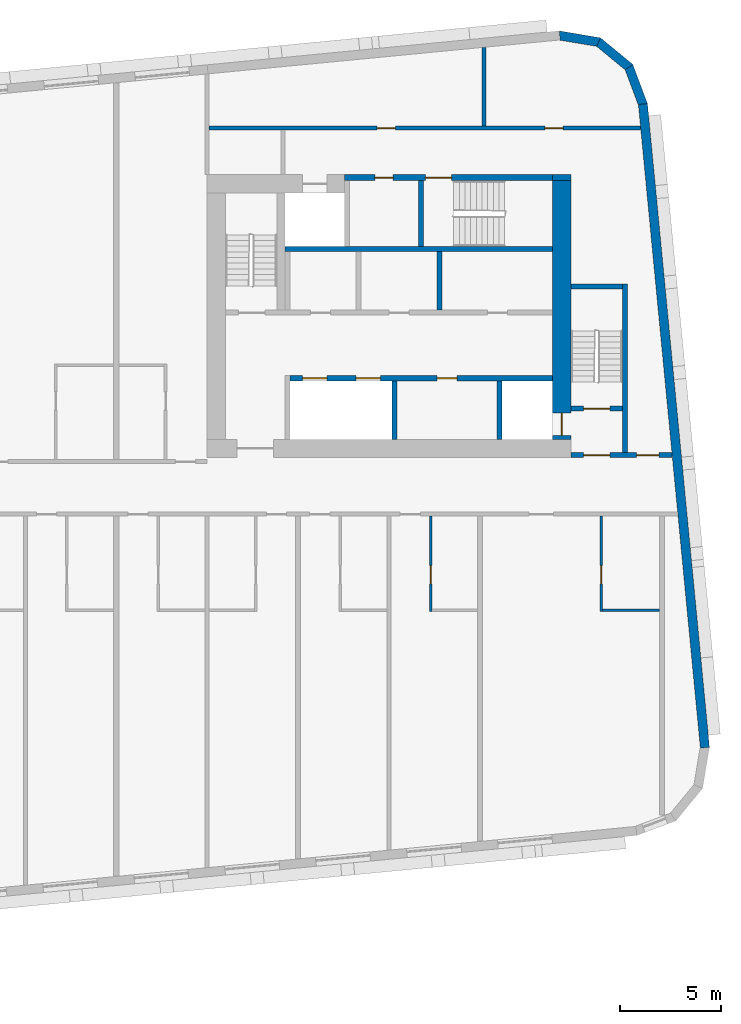
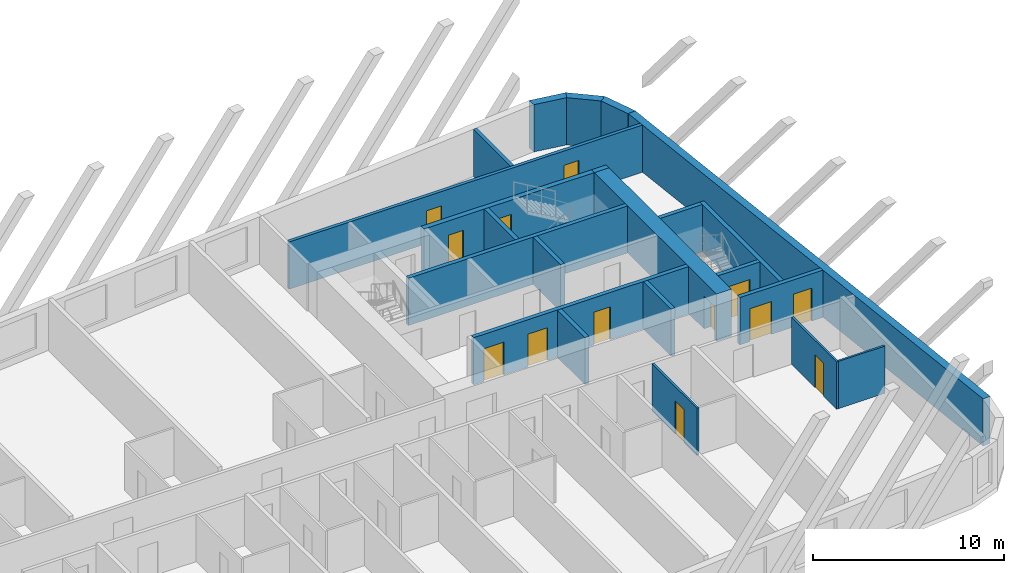
# One storey, part 7 of 12: 22 walls, 13 doors, 13 openings.
"""IFC4 building model written with IfcOpenShell, lengths in metres."""

from ifc_helpers import new_model, si_unit, direction, frame, frame_2d, origin, place, context, subcontext, project, spatial, polyline, rectangle, outline, extrude, material, layer, layer_set, type_object, element, fill, save


model = new_model("IFC4")

# Units and contexts
model_context = context("Model", 3, precision=1e-05, world=origin(), true_north=direction((0.0, 1.0)))
body_context = subcontext(model_context, "Body", "Model", "MODEL_VIEW")
ifc_project = project(units=[si_unit("LENGTHUNIT", "METRE"), si_unit("AREAUNIT", "SQUARE_METRE"), si_unit("VOLUMEUNIT", "CUBIC_METRE"), si_unit("PLANEANGLEUNIT", "RADIAN"), si_unit("MASSUNIT", "GRAM", prefix="KILO")], contexts=[model_context])

# Site, building, storey
site_placement = place(None, origin())
site = spatial("IfcSite", under=ifc_project, at=site_placement, CompositionType="ELEMENT")
building_placement = place(site_placement, origin())
building = spatial("IfcBuilding", under=site, at=building_placement, Name="Kajstack Hotel Tower", CompositionType="ELEMENT")
storey_placement = place(building_placement, frame((0.0, 0.0, 278.39990234375)))
storey = spatial("IfcBuildingStorey", under=building, at=storey_placement, Name="L69", CompositionType="ELEMENT", Elevation=278.39990234375)

# Wall
ifc_material_1 = material(Name="Concrete C60/75", Category="concrete")
ifc_layer_1 = layer(ifc_material_1, 0.89990234375)
ifc_layer_set_1 = layer_set([ifc_layer_1], Name="Core wall 900")
wall_type_1 = type_object("IfcWallType", Name="Core wall 900", PredefinedType="SHEAR", material=ifc_layer_set_1)
wall_1_placement = place(storey_placement, frame((30.60009765625, 15.35009765625, 0.0), z_axis=(0.0, 0.0, 1.0), x_axis=(1.0, 0.0, 0.0)))
element("IfcWall", 1, at=wall_1_placement, inside=storey, type_object=wall_type_1, Name="Core wall E RSW", PredefinedType="SHEAR", context=body_context, shape_type="SweptSolid", body=[
    extrude(rectangle(XDim=0.89990234375, YDim=0.300048828125, at=frame_2d((0.449951171875, 0.0))), origin(), (0.0, 0.0, 1.0), 3.02001953125),
])

# Wall, opening, door
wall_2_placement = place(storey_placement, frame((31.050048828125, 2.39990234375, 0.0), z_axis=(0.0, 0.0, 1.0), x_axis=(0.0, 1.0, 0.0)))
wall_2 = element("IfcWall", 2, at=wall_2_placement, inside=storey, type_object=wall_type_1, Name="Core wall E RW", PredefinedType="SHEAR", context=body_context, shape_type="SweptSolid", body=[
    extrude(rectangle(XDim=12.800048828125, YDim=0.89990234375, at=frame_2d((6.39990234375, 0.0))), origin(), (0.0, 0.0, 1.0), 3.02001953125),
])
opening_1_placement = place(wall_2_placement, frame((0.199951171875, 0.0, 0.0)))
opening_1 = element("IfcOpeningElement", 3, at=opening_1_placement, cuts=wall_2, Name="Opening LD-FF2", PredefinedType="OPENING", context=body_context, shape_type="SweptSolid", body=[
    extrude(rectangle(XDim=1.10009765625, YDim=2.10009765625, at=frame_2d((0.550048828125, 1.050048828125))), frame((0.0, 0.4599609375, 0.0), z_axis=(0.0, -1.0, 0.0), x_axis=(1.0, 0.0, 0.0)), (0.0, 0.0, 1.0), 0.919921875),
])
ifc_material_2 = material(Name="Stainless steel", Category="steel")
door_type_1 = type_object("IfcDoorType", Name="Fire-fighting lift landing door 1100", OperationType="SLIDING_TO_LEFT", PredefinedType="DOOR", material=ifc_material_2)
door_1_placement = place(opening_1_placement, origin())
door_1 = element("IfcDoor", 4, at=door_1_placement, inside=storey, type_object=door_type_1, Name="Landing door FF2", OperationType="SLIDING_TO_LEFT", OverallHeight=2.10009765625, OverallWidth=1.10009765625, PredefinedType="DOOR", context=body_context, shape_type="SweptSolid", body=[
    extrude(rectangle(XDim=1.10009765625, YDim=2.10009765625, at=frame_2d((0.550048828125, 1.050048828125))), frame((0.0, 0.02490234375, 0.0), z_axis=(0.0, -1.0, 0.0), x_axis=(1.0, 0.0, 0.0)), (0.0, 0.0, 1.0), 0.050048828125),
])
fill(opening_1, door_1)

# Walls
ifc_material_3 = material(Name="Terracotta-faced brick masonry", Category="masonry")
ifc_layer_2 = layer(ifc_material_3, 0.449951171875)
ifc_layer_set_2 = layer_set([ifc_layer_2], Name="EW-TERRA")
wall_type_2 = type_object("IfcWallType", Name="EW-TERRA", PredefinedType="SOLIDWALL", material=ifc_layer_set_2)
wall_3_placement = place(storey_placement, frame((38.13232421875, -12.85791015625, 0.0), z_axis=(0.0, 0.0, 1.0), x_axis=(-0.095847749461, 0.995396006082, 0.0)))
element("IfcWall", 5, at=wall_3_placement, inside=storey, type_object=wall_type_2, Name="E-wall-L69-08-00", PredefinedType="SOLIDWALL", context=body_context, shape_type="SweptSolid", body=[
    extrude(rectangle(XDim=32.0, YDim=0.449951171875, at=frame_2d((16.0, 0.0))), origin(), (0.0, 0.0, 1.0), 3.02001953125),
])
wall_4_placement = place(storey_placement, frame((35.078369140625, 18.9375, 0.0), z_axis=(0.0, 0.0, 1.0), x_axis=(-0.350192909346, 0.936677599948, 0.0)))
element("IfcWall", 6, at=wall_4_placement, inside=storey, type_object=wall_type_2, Name="E-wall-L69-09-00", PredefinedType="SOLIDWALL", context=body_context, shape_type="SweptSolid", body=[
    extrude(outline(polyline([(0.0, -0.22509765625), (2.070556640625, -0.22509765625), (1.949951171875, 0.224853515625), (0.12060546875, 0.224853515625), (0.0, -0.22509765625)])), origin(), (0.0, 0.0, 1.0), 3.02001953125),
])
wall_5_placement = place(storey_placement, frame((34.4208984375, 20.7822265625, 0.0), z_axis=(0.0, 0.0, 1.0), x_axis=(-0.771593176315, 0.636116318187, 0.0)))
element("IfcWall", 7, at=wall_5_placement, inside=storey, type_object=wall_type_2, Name="E-wall-L69-10-00", PredefinedType="SOLIDWALL", context=body_context, shape_type="SweptSolid", body=[
    extrude(outline(polyline([(0.0, -0.22509765625), (2.070556640625, -0.224853515625), (1.949951171875, 0.22509765625), (0.120361328125, 0.22509765625), (0.0, -0.22509765625)])), origin(), (0.0, 0.0, 1.0), 3.02001953125),
])
wall_6_placement = place(storey_placement, frame((32.92919921875, 22.051025390625, 0.0), z_axis=(0.0, 0.0, 1.0), x_axis=(-0.986298144721, 0.164972633245, 0.0)))
element("IfcWall", 8, at=wall_6_placement, inside=storey, type_object=wall_type_2, Name="E-wall-L69-11-00", PredefinedType="SOLIDWALL", context=body_context, shape_type="SweptSolid", body=[
    extrude(outline(polyline([(0.0, -0.224853515625), (2.0703125, -0.22509765625), (1.949951171875, 0.224853515625), (0.12060546875, 0.22509765625), (0.0, -0.224853515625)])), origin(), (0.0, 0.0, 1.0), 3.02001953125),
])

# Wall, opening, door
ifc_material_4 = material(Name="Gypsum board and tiled backer on steel studs", Category="steel")
ifc_layer_3 = layer(ifc_material_4, 0.125)
ifc_layer_set_3 = layer_set([ifc_layer_3], Name="En-suite wall 125")
wall_type_3 = type_object("IfcWallType", Name="En-suite wall 125", PredefinedType="PARTITIONING", material=ifc_layer_set_3)
wall_7_placement = place(storey_placement, frame((24.56201171875, -6.125, 0.0), z_axis=(0.0, 0.0, 1.0), x_axis=(0.0, 1.0, 0.0)))
wall_7 = element("IfcWall", 9, at=wall_7_placement, inside=storey, type_object=wall_type_3, Name="G-wall-L69-036", PredefinedType="PARTITIONING", context=body_context, shape_type="SweptSolid", body=[
    extrude(rectangle(XDim=4.72509765625, YDim=0.125, at=frame_2d((2.362548828125, 0.0))), origin(), (0.0, 0.0, 1.0), 3.02001953125),
])
opening_2_placement = place(wall_7_placement, frame((1.375, 0.0, 0.0)))
opening_2 = element("IfcOpeningElement", 10, at=opening_2_placement, cuts=wall_7, Name="Opening 69030", PredefinedType="OPENING", context=body_context, shape_type="SweptSolid", body=[
    extrude(rectangle(XDim=0.89990234375, YDim=2.10009765625, at=frame_2d((0.449951171875, 1.050048828125))), frame((0.0, 0.072509765625, 0.0), z_axis=(0.0, -1.0, 0.0), x_axis=(1.0, 0.0, 0.0)), (0.0, 0.0, 1.0), 0.14501953125),
])
ifc_material_5 = material(Name="Painted timber door leaf", Category="wood")
door_type_2 = type_object("IfcDoorType", Name="Room door 900", OperationType="SINGLE_SWING_LEFT", PredefinedType="DOOR", material=ifc_material_5)
door_2_placement = place(opening_2_placement, origin())
door_2 = element("IfcDoor", 11, at=door_2_placement, inside=storey, type_object=door_type_2, Name="G-door-L69-30", OperationType="SINGLE_SWING_RIGHT", OverallHeight=2.10009765625, OverallWidth=0.89990234375, PredefinedType="DOOR", context=body_context, shape_type="SweptSolid", body=[
    extrude(rectangle(XDim=0.89990234375, YDim=2.10009765625, at=frame_2d((0.449951171875, 1.050048828125))), frame((0.0, 0.02490234375, 0.0), z_axis=(0.0, -1.0, 0.0), x_axis=(1.0, 0.0, 0.0)), (0.0, 0.0, 1.0), 0.050048828125),
])
fill(opening_2, door_2)

wall_8_placement = place(storey_placement, frame((33.012939453125, -6.125, 0.0), z_axis=(0.0, 0.0, 1.0), x_axis=(0.0, 1.0, 0.0)))
wall_8 = element("IfcWall", 12, at=wall_8_placement, inside=storey, type_object=wall_type_3, Name="G-wall-L69-038", PredefinedType="PARTITIONING", context=body_context, shape_type="SweptSolid", body=[
    extrude(rectangle(XDim=4.72509765625, YDim=0.125, at=frame_2d((2.362548828125, 0.0))), origin(), (0.0, 0.0, 1.0), 3.02001953125),
])
opening_3_placement = place(wall_8_placement, frame((1.375, 0.0, 0.0)))
opening_3 = element("IfcOpeningElement", 13, at=opening_3_placement, cuts=wall_8, Name="Opening 69032", PredefinedType="OPENING", context=body_context, shape_type="SweptSolid", body=[
    extrude(rectangle(XDim=0.89990234375, YDim=2.10009765625, at=frame_2d((0.449951171875, 1.050048828125))), frame((0.0, 0.072509765625, 0.0), z_axis=(0.0, -1.0, 0.0), x_axis=(1.0, 0.0, 0.0)), (0.0, 0.0, 1.0), 0.14501953125),
])
door_3_placement = place(opening_3_placement, origin())
door_3 = element("IfcDoor", 14, at=door_3_placement, inside=storey, type_object=door_type_2, Name="G-door-L69-32", OperationType="SINGLE_SWING_RIGHT", OverallHeight=2.10009765625, OverallWidth=0.89990234375, PredefinedType="DOOR", context=body_context, shape_type="SweptSolid", body=[
    extrude(rectangle(XDim=0.89990234375, YDim=2.10009765625, at=frame_2d((0.449951171875, 1.050048828125))), frame((0.0, 0.02490234375, 0.0), z_axis=(0.0, -1.0, 0.0), x_axis=(1.0, 0.0, 0.0)), (0.0, 0.0, 1.0), 0.050048828125),
])
fill(opening_3, door_3)

# Walls
wall_9_placement = place(storey_placement, frame((33.074951171875, -6.06201171875, 0.0), z_axis=(0.0, 0.0, 1.0), x_axis=(1.0, 0.0, 0.0)))
element("IfcWall", 15, at=wall_9_placement, inside=storey, type_object=wall_type_3, Name="G-wall-L69-039", PredefinedType="PARTITIONING", context=body_context, shape_type="SweptSolid", body=[
    extrude(rectangle(XDim=2.800048828125, YDim=0.125, at=frame_2d((1.39990234375, 0.0))), origin(), (0.0, 0.0, 1.0), 3.02001953125),
])
ifc_material_6 = material(Name="Concrete C50/60", Category="concrete")
ifc_layer_4 = layer(ifc_material_6, 0.300048828125)
ifc_layer_set_4 = layer_set([ifc_layer_4], Name="Hoistway divider wall 300")
wall_type_4 = type_object("IfcWallType", Name="Hoistway divider wall 300", PredefinedType="SHEAR", material=ifc_layer_set_4)
wall_10_placement = place(storey_placement, frame((22.77490234375, 2.39990234375, 0.0), z_axis=(0.0, 0.0, 1.0), x_axis=(0.0, 1.0, 0.0)))
element("IfcWall", 16, at=wall_10_placement, inside=storey, type_object=wall_type_4, Name="Core wall E AP2", PredefinedType="SHEAR", context=body_context, shape_type="SweptSolid", body=[
    extrude(rectangle(XDim=2.900146484375, YDim=0.25, at=frame_2d((1.4501953125, 0.0))), origin(), (0.0, 0.0, 1.0), 3.02001953125),
])
ifc_material_7 = material(Name="Concrete block masonry", Category="masonry")
ifc_layer_5 = layer(ifc_material_7, 0.25)
ifc_layer_set_5 = layer_set([ifc_layer_5], Name="Riser partition 250")
wall_type_5 = type_object("IfcWallType", Name="Riser partition 250", PredefinedType="PARTITIONING", material=ifc_layer_set_5)
wall_11_placement = place(storey_placement, frame((25.0, 8.800048828125, 0.0), z_axis=(0.0, 0.0, 1.0), x_axis=(0.0, 1.0, 0.0)))
element("IfcWall", 17, at=wall_11_placement, inside=storey, type_object=wall_type_5, Name="Partition E BF0", PredefinedType="PARTITIONING", context=body_context, shape_type="SweptSolid", body=[
    extrude(rectangle(XDim=2.89990234375, YDim=0.25, at=frame_2d((1.449951171875, 0.0))), origin(), (0.0, 0.0, 1.0), 3.02001953125),
])

# Wall, openings, doors
ifc_material_8 = material(Name="Gypsum board on steel studs, mineral wool", Category="steel")
ifc_layer_6 = layer(ifc_material_8, 0.199951171875)
ifc_layer_set_6 = layer_set([ifc_layer_6], Name="Service partition 200")
wall_type_6 = type_object("IfcWallType", Name="Service partition 200", PredefinedType="PARTITIONING", material=ifc_layer_set_6)
wall_12_placement = place(storey_placement, frame((31.5, 1.625, 0.0), z_axis=(0.0, 0.0, 1.0), x_axis=(1.0, 0.0, 0.0)))
wall_12 = element("IfcWall", 18, at=wall_12_placement, inside=storey, type_object=wall_type_6, Name="Partition E SN", PredefinedType="PARTITIONING", context=body_context, shape_type="SweptSolid", body=[
    extrude(rectangle(XDim=5.01171875, YDim=0.25, at=frame_2d((2.505859375, 0.0))), origin(), (0.0, 0.0, 1.0), 3.02001953125),
])
opening_4_placement = place(wall_12_placement, frame((0.625, 0.0, 0.0)))
opening_4 = element("IfcOpeningElement", 19, at=opening_4_placement, cuts=wall_12, Name="Opening 69E06", PredefinedType="OPENING", context=body_context, shape_type="SweptSolid", body=[
    extrude(rectangle(XDim=1.300048828125, YDim=2.10009765625, at=frame_2d((0.64990234375, 1.050048828125))), frame((0.0, 0.135009765625, 0.0), z_axis=(0.0, -1.0, 0.0), x_axis=(1.0, 0.0, 0.0)), (0.0, 0.0, 1.0), 0.27001953125),
])
opening_5_placement = place(wall_12_placement, frame((3.25, 0.0, 0.0)))
opening_5 = element("IfcOpeningElement", 20, at=opening_5_placement, cuts=wall_12, Name="Opening 69E08", PredefinedType="OPENING", context=body_context, shape_type="SweptSolid", body=[
    extrude(rectangle(XDim=1.10009765625, YDim=2.10009765625, at=frame_2d((0.550048828125, 1.050048828125))), frame((0.0, 0.135009765625, 0.0), z_axis=(0.0, -1.0, 0.0), x_axis=(1.0, 0.0, 0.0)), (0.0, 0.0, 1.0), 0.27001953125),
])
ifc_material_9 = material(Name="Steel leaf, fire-rated", Category="steel")
door_type_3 = type_object("IfcDoorType", Name="Fire lobby door 1300", OperationType="SINGLE_SWING_LEFT", PredefinedType="DOOR", material=ifc_material_9)
door_4_placement = place(opening_4_placement, origin())
door_4 = element("IfcDoor", 21, at=door_4_placement, inside=storey, type_object=door_type_3, Name="Door 69E06", OperationType="SINGLE_SWING_LEFT", OverallHeight=2.10009765625, OverallWidth=1.300048828125, PredefinedType="DOOR", context=body_context, shape_type="SweptSolid", body=[
    extrude(rectangle(XDim=1.300048828125, YDim=2.10009765625, at=frame_2d((0.64990234375, 1.050048828125))), frame((0.0, 0.02490234375, 0.0), z_axis=(0.0, -1.0, 0.0), x_axis=(1.0, 0.0, 0.0)), (0.0, 0.0, 1.0), 0.050048828125),
])
fill(opening_4, door_4)
ifc_material_10 = material(Name="Timber leaf, fire-rated", Category="wood")
door_type_4 = type_object("IfcDoorType", Name="Service corridor door 1100", OperationType="SINGLE_SWING_LEFT", PredefinedType="DOOR", material=ifc_material_10)
door_5_placement = place(opening_5_placement, origin())
door_5 = element("IfcDoor", 22, at=door_5_placement, inside=storey, type_object=door_type_4, Name="Door 69E08", OperationType="SINGLE_SWING_LEFT", OverallHeight=2.10009765625, OverallWidth=1.10009765625, PredefinedType="DOOR", context=body_context, shape_type="SweptSolid", body=[
    extrude(rectangle(XDim=1.10009765625, YDim=2.10009765625, at=frame_2d((0.550048828125, 1.050048828125))), frame((0.0, 0.02490234375, 0.0), z_axis=(0.0, -1.0, 0.0), x_axis=(1.0, 0.0, 0.0)), (0.0, 0.0, 1.0), 0.050048828125),
])
fill(opening_5, door_5)

wall_13_placement = place(storey_placement, frame((13.60009765625, 17.800048828125, 0.0), z_axis=(0.0, 0.0, 1.0), x_axis=(1.0, 0.0, 0.0)))
wall_13 = element("IfcWall", 23, at=wall_13_placement, inside=storey, type_object=wall_type_6, Name="Partition E SLN", PredefinedType="PARTITIONING", context=body_context, shape_type="SweptSolid", body=[
    extrude(rectangle(XDim=21.35400390625, YDim=0.199951171875, at=frame_2d((10.677001953125, 0.0))), origin(), (0.0, 0.0, 1.0), 3.02001953125),
])
opening_6_placement = place(wall_13_placement, frame((16.612548828125, 0.0, 0.0)))
opening_6 = element("IfcOpeningElement", 24, at=opening_6_placement, cuts=wall_13, Name="Opening 69E16", PredefinedType="OPENING", context=body_context, shape_type="SweptSolid", body=[
    extrude(rectangle(XDim=0.89990234375, YDim=2.10009765625, at=frame_2d((0.449951171875, 1.050048828125))), frame((0.0, 0.10986328125, 0.0), z_axis=(0.0, -1.0, 0.0), x_axis=(1.0, 0.0, 0.0)), (0.0, 0.0, 1.0), 0.219970703125),
])
opening_7_placement = place(wall_13_placement, frame((8.3125, 0.0, 0.0)))
opening_7 = element("IfcOpeningElement", 25, at=opening_7_placement, cuts=wall_13, Name="Opening 69E17", PredefinedType="OPENING", context=body_context, shape_type="SweptSolid", body=[
    extrude(rectangle(XDim=0.89990234375, YDim=2.10009765625, at=frame_2d((0.449951171875, 1.050048828125))), frame((0.0, 0.10986328125, 0.0), z_axis=(0.0, -1.0, 0.0), x_axis=(1.0, 0.0, 0.0)), (0.0, 0.0, 1.0), 0.219970703125),
])
door_type_5 = type_object("IfcDoorType", Name="Service door 900", OperationType="SINGLE_SWING_LEFT", PredefinedType="DOOR", material=ifc_material_10)
door_6_placement = place(opening_6_placement, origin())
door_6 = element("IfcDoor", 26, at=door_6_placement, inside=storey, type_object=door_type_5, Name="Door 69E16", OperationType="SINGLE_SWING_LEFT", OverallHeight=2.10009765625, OverallWidth=0.89990234375, PredefinedType="DOOR", context=body_context, shape_type="SweptSolid", body=[
    extrude(rectangle(XDim=0.89990234375, YDim=2.10009765625, at=frame_2d((0.449951171875, 1.050048828125))), frame((0.0, 0.02490234375, 0.0), z_axis=(0.0, -1.0, 0.0), x_axis=(1.0, 0.0, 0.0)), (0.0, 0.0, 1.0), 0.050048828125),
])
fill(opening_6, door_6)
door_7_placement = place(opening_7_placement, origin())
door_7 = element("IfcDoor", 27, at=door_7_placement, inside=storey, type_object=door_type_5, Name="Door 69E17", OperationType="SINGLE_SWING_LEFT", OverallHeight=2.10009765625, OverallWidth=0.89990234375, PredefinedType="DOOR", context=body_context, shape_type="SweptSolid", body=[
    extrude(rectangle(XDim=0.89990234375, YDim=2.10009765625, at=frame_2d((0.449951171875, 1.050048828125))), frame((0.0, 0.02490234375, 0.0), z_axis=(0.0, -1.0, 0.0), x_axis=(1.0, 0.0, 0.0)), (0.0, 0.0, 1.0), 0.050048828125),
])
fill(opening_7, door_7)

# Wall
wall_14_placement = place(storey_placement, frame((27.199951171875, 17.89990234375, 0.0), z_axis=(0.0, 0.0, 1.0), x_axis=(0.0, 1.0, 0.0)))
element("IfcWall", 28, at=wall_14_placement, inside=storey, type_object=wall_type_6, Name="Partition E SLP0", PredefinedType="PARTITIONING", context=body_context, shape_type="SweptSolid", body=[
    extrude(rectangle(XDim=3.905029296875, YDim=0.199951171875, at=frame_2d((1.95263671875, 0.0))), origin(), (0.0, 0.0, 1.0), 3.02001953125),
])

# Wall, openings, doors
ifc_layer_7 = layer(ifc_material_6, 0.25)
ifc_layer_set_7 = layer_set([ifc_layer_7], Name="Shaft wall 250")
wall_type_7 = type_object("IfcWallType", Name="Shaft wall 250", PredefinedType="SHEAR", material=ifc_layer_set_7)
wall_15_placement = place(storey_placement, frame((20.300048828125, 15.35009765625, 0.0), z_axis=(0.0, 0.0, 1.0), x_axis=(1.0, 0.0, 0.0)))
wall_15 = element("IfcWall", 29, at=wall_15_placement, inside=storey, type_object=wall_type_7, Name="Core wall E RSS", PredefinedType="SHEAR", context=body_context, shape_type="SweptSolid", body=[
    extrude(rectangle(XDim=10.300048828125, YDim=0.300048828125, at=frame_2d((5.14990234375, 0.0))), origin(), (0.0, 0.0, 1.0), 3.02001953125),
])
opening_8_placement = place(wall_15_placement, frame((4.0, 0.0, 0.0)))
opening_8 = element("IfcOpeningElement", 30, at=opening_8_placement, cuts=wall_15, Name="Opening 69E10", PredefinedType="OPENING", context=body_context, shape_type="SweptSolid", body=[
    extrude(rectangle(XDim=1.300048828125, YDim=2.10009765625, at=frame_2d((0.64990234375, 1.050048828125))), frame((0.0, 0.159912109375, 0.0), z_axis=(0.0, -1.0, 0.0), x_axis=(1.0, 0.0, 0.0)), (0.0, 0.0, 1.0), 0.320068359375),
])
opening_9_placement = place(wall_15_placement, frame((1.5, 0.0, 0.0)))
opening_9 = element("IfcOpeningElement", 31, at=opening_9_placement, cuts=wall_15, Name="Opening 69E11", PredefinedType="OPENING", context=body_context, shape_type="SweptSolid", body=[
    extrude(rectangle(XDim=0.89990234375, YDim=2.10009765625, at=frame_2d((0.449951171875, 1.050048828125))), frame((0.0, 0.159912109375, 0.0), z_axis=(0.0, -1.0, 0.0), x_axis=(1.0, 0.0, 0.0)), (0.0, 0.0, 1.0), 0.320068359375),
])
door_8_placement = place(opening_9_placement, origin())
door_8 = element("IfcDoor", 32, at=door_8_placement, inside=storey, type_object=door_type_5, Name="Door 69E11", OperationType="SINGLE_SWING_RIGHT", OverallHeight=2.10009765625, OverallWidth=0.89990234375, PredefinedType="DOOR", context=body_context, shape_type="SweptSolid", body=[
    extrude(rectangle(XDim=0.89990234375, YDim=2.10009765625, at=frame_2d((0.449951171875, 1.050048828125))), frame((0.0, 0.02490234375, 0.0), z_axis=(0.0, -1.0, 0.0), x_axis=(1.0, 0.0, 0.0)), (0.0, 0.0, 1.0), 0.050048828125),
])
fill(opening_9, door_8)
door_type_6 = type_object("IfcDoorType", Name="Stair door 1300", OperationType="SINGLE_SWING_LEFT", PredefinedType="DOOR", material=ifc_material_9)
door_9_placement = place(opening_8_placement, origin())
door_9 = element("IfcDoor", 33, at=door_9_placement, inside=storey, type_object=door_type_6, Name="Door 69E10", OperationType="SINGLE_SWING_LEFT", OverallHeight=2.10009765625, OverallWidth=1.300048828125, PredefinedType="DOOR", context=body_context, shape_type="SweptSolid", body=[
    extrude(rectangle(XDim=1.300048828125, YDim=2.10009765625, at=frame_2d((0.64990234375, 1.050048828125))), frame((0.0, 0.02490234375, 0.0), z_axis=(0.0, -1.0, 0.0), x_axis=(1.0, 0.0, 0.0)), (0.0, 0.0, 1.0), 0.050048828125),
])
fill(opening_8, door_9)

wall_16_placement = place(storey_placement, frame((17.60009765625, 5.425048828125, 0.0), z_axis=(0.0, 0.0, 1.0), x_axis=(1.0, 0.0, 0.0)))
wall_16 = element("IfcWall", 34, at=wall_16_placement, inside=storey, type_object=wall_type_7, Name="Core wall E FA", PredefinedType="SHEAR", context=body_context, shape_type="SweptSolid", body=[
    extrude(rectangle(XDim=13.0, YDim=0.25, at=frame_2d((6.5, 0.0))), origin(), (0.0, 0.0, 1.0), 3.02001953125),
])
opening_10_placement = place(wall_16_placement, frame((3.27490234375, 0.0, 0.0)))
opening_10 = element("IfcOpeningElement", 35, at=opening_10_placement, cuts=wall_16, Name="Opening LD-HR3", PredefinedType="OPENING", context=body_context, shape_type="SweptSolid", body=[
    extrude(rectangle(XDim=1.199951171875, YDim=2.10009765625, at=frame_2d((0.60009765625, 1.050048828125))), frame((0.0, 0.135009765625, 0.0), z_axis=(0.0, -1.0, 0.0), x_axis=(1.0, 0.0, 0.0)), (0.0, 0.0, 1.0), 0.27001953125),
])
opening_11_placement = place(wall_16_placement, frame((0.625, 0.0, 0.0)))
opening_11 = element("IfcOpeningElement", 36, at=opening_11_placement, cuts=wall_16, Name="Opening LD-HR4", PredefinedType="OPENING", context=body_context, shape_type="SweptSolid", body=[
    extrude(rectangle(XDim=1.199951171875, YDim=2.10009765625, at=frame_2d((0.60009765625, 1.050048828125))), frame((0.0, 0.135009765625, 0.0), z_axis=(0.0, -1.0, 0.0), x_axis=(1.0, 0.0, 0.0)), (0.0, 0.0, 1.0), 0.27001953125),
])
opening_12_placement = place(wall_16_placement, frame((7.27490234375, 0.0, 0.0)))
opening_12 = element("IfcOpeningElement", 37, at=opening_12_placement, cuts=wall_16, Name="Opening 69E15", PredefinedType="OPENING", context=body_context, shape_type="SweptSolid", body=[
    extrude(rectangle(XDim=1.0, YDim=2.10009765625, at=frame_2d((0.5, 1.050048828125))), frame((0.0, 0.135009765625, 0.0), z_axis=(0.0, -1.0, 0.0), x_axis=(1.0, 0.0, 0.0)), (0.0, 0.0, 1.0), 0.27001953125),
])
door_type_7 = type_object("IfcDoorType", Name="Lift landing door 1200", OperationType="SLIDING_TO_LEFT", PredefinedType="DOOR", material=ifc_material_2)
door_10_placement = place(opening_10_placement, origin())
door_10 = element("IfcDoor", 38, at=door_10_placement, inside=storey, type_object=door_type_7, Name="Landing door HR3", OperationType="SLIDING_TO_RIGHT", OverallHeight=2.10009765625, OverallWidth=1.199951171875, PredefinedType="DOOR", context=body_context, shape_type="SweptSolid", body=[
    extrude(rectangle(XDim=1.199951171875, YDim=2.10009765625, at=frame_2d((0.60009765625, 1.050048828125))), frame((0.0, 0.02490234375, 0.0), z_axis=(0.0, -1.0, 0.0), x_axis=(1.0, 0.0, 0.0)), (0.0, 0.0, 1.0), 0.050048828125),
])
fill(opening_10, door_10)
door_11_placement = place(opening_11_placement, origin())
door_11 = element("IfcDoor", 39, at=door_11_placement, inside=storey, type_object=door_type_7, Name="Landing door HR4", OperationType="SLIDING_TO_LEFT", OverallHeight=2.10009765625, OverallWidth=1.199951171875, PredefinedType="DOOR", context=body_context, shape_type="SweptSolid", body=[
    extrude(rectangle(XDim=1.199951171875, YDim=2.10009765625, at=frame_2d((0.60009765625, 1.050048828125))), frame((0.0, 0.02490234375, 0.0), z_axis=(0.0, -1.0, 0.0), x_axis=(1.0, 0.0, 0.0)), (0.0, 0.0, 1.0), 0.050048828125),
])
fill(opening_11, door_11)
door_type_8 = type_object("IfcDoorType", Name="Service room door 1000", OperationType="SINGLE_SWING_LEFT", PredefinedType="DOOR", material=ifc_material_10)
door_12_placement = place(opening_12_placement, origin())
door_12 = element("IfcDoor", 40, at=door_12_placement, inside=storey, type_object=door_type_8, Name="Door 69E15", OperationType="SINGLE_SWING_LEFT", OverallHeight=2.10009765625, OverallWidth=1.0, PredefinedType="DOOR", context=body_context, shape_type="SweptSolid", body=[
    extrude(rectangle(XDim=1.0, YDim=2.10009765625, at=frame_2d((0.5, 1.050048828125))), frame((0.0, 0.02490234375, 0.0), z_axis=(0.0, -1.0, 0.0), x_axis=(1.0, 0.0, 0.0)), (0.0, 0.0, 1.0), 0.050048828125),
])
fill(opening_12, door_12)

# Walls
wall_17_placement = place(storey_placement, frame((27.97509765625, 2.39990234375, 0.0), z_axis=(0.0, 0.0, 1.0), x_axis=(0.0, 1.0, 0.0)))
element("IfcWall", 41, at=wall_17_placement, inside=storey, type_object=wall_type_7, Name="Core wall E AP0", PredefinedType="SHEAR", context=body_context, shape_type="SweptSolid", body=[
    extrude(rectangle(XDim=2.900146484375, YDim=0.25, at=frame_2d((1.4501953125, 0.0))), origin(), (0.0, 0.0, 1.0), 3.02001953125),
])
wall_18_placement = place(storey_placement, frame((17.35009765625, 11.824951171875, 0.0), z_axis=(0.0, 0.0, 1.0), x_axis=(1.0, 0.0, 0.0)))
element("IfcWall", 42, at=wall_18_placement, inside=storey, type_object=wall_type_7, Name="Core wall E RB", PredefinedType="SHEAR", context=body_context, shape_type="SweptSolid", body=[
    extrude(rectangle(XDim=13.25, YDim=0.25, at=frame_2d((6.625, 0.0))), origin(), (0.0, 0.0, 1.0), 3.02001953125),
])

# Wall, opening, door
ifc_material_11 = material(Name="Concrete C40/50", Category="concrete")
ifc_layer_8 = layer(ifc_material_11, 0.25)
ifc_layer_set_8 = layer_set([ifc_layer_8], Name="Stair enclosure wall 250")
wall_type_8 = type_object("IfcWallType", Name="Stair enclosure wall 250", PredefinedType="SHEAR", material=ifc_layer_set_8)
wall_19_placement = place(storey_placement, frame((31.5, 3.925048828125, 0.0), z_axis=(0.0, 0.0, 1.0), x_axis=(1.0, 0.0, 0.0)))
wall_19 = element("IfcWall", 43, at=wall_19_placement, inside=storey, type_object=wall_type_8, Name="Core wall E W1N", PredefinedType="SHEAR", context=body_context, shape_type="SweptSolid", body=[
    extrude(rectangle(XDim=2.550048828125, YDim=0.25, at=frame_2d((1.27490234375, 0.0))), origin(), (0.0, 0.0, 1.0), 3.02001953125),
])
opening_13_placement = place(wall_19_placement, frame((0.625, 0.0, 0.0)))
opening_13 = element("IfcOpeningElement", 44, at=opening_13_placement, cuts=wall_19, Name="Opening 69E07", PredefinedType="OPENING", context=body_context, shape_type="SweptSolid", body=[
    extrude(rectangle(XDim=1.300048828125, YDim=2.10009765625, at=frame_2d((0.64990234375, 1.050048828125))), frame((0.0, 0.135009765625, 0.0), z_axis=(0.0, -1.0, 0.0), x_axis=(1.0, 0.0, 0.0)), (0.0, 0.0, 1.0), 0.27001953125),
])
door_13_placement = place(opening_13_placement, origin())
door_13 = element("IfcDoor", 45, at=door_13_placement, inside=storey, type_object=door_type_6, Name="Door 69E07", OperationType="SINGLE_SWING_LEFT", OverallHeight=2.10009765625, OverallWidth=1.300048828125, PredefinedType="DOOR", context=body_context, shape_type="SweptSolid", body=[
    extrude(rectangle(XDim=1.300048828125, YDim=2.10009765625, at=frame_2d((0.64990234375, 1.050048828125))), frame((0.0, 0.02490234375, 0.0), z_axis=(0.0, -1.0, 0.0), x_axis=(1.0, 0.0, 0.0)), (0.0, 0.0, 1.0), 0.050048828125),
])
fill(opening_13, door_13)

# Walls
wall_20_placement = place(storey_placement, frame((34.175048828125, 1.75, 0.0), z_axis=(0.0, 0.0, 1.0), x_axis=(0.0, 1.0, 0.0)))
element("IfcWall", 46, at=wall_20_placement, inside=storey, type_object=wall_type_8, Name="Core wall E W1W", PredefinedType="SHEAR", context=body_context, shape_type="SweptSolid", body=[
    extrude(rectangle(XDim=8.35009765625, YDim=0.25, at=frame_2d((4.175048828125, 0.0))), origin(), (0.0, 0.0, 1.0), 3.02001953125),
])
wall_21_placement = place(storey_placement, frame((31.5, 9.97509765625, 0.0), z_axis=(0.0, 0.0, 1.0), x_axis=(1.0, 0.0, 0.0)))
element("IfcWall", 47, at=wall_21_placement, inside=storey, type_object=wall_type_8, Name="Core wall E W1S", PredefinedType="SHEAR", context=body_context, shape_type="SweptSolid", body=[
    extrude(rectangle(XDim=2.550048828125, YDim=0.25, at=frame_2d((1.27490234375, 0.0))), origin(), (0.0, 0.0, 1.0), 3.02001953125),
])
ifc_layer_9 = layer(ifc_material_6, 0.35009765625)
ifc_layer_set_9 = layer_set([ifc_layer_9], Name="Stair enclosure wall 350")
wall_type_9 = type_object("IfcWallType", Name="Stair enclosure wall 350", PredefinedType="SHEAR", material=ifc_layer_set_9)
wall_22_placement = place(storey_placement, frame((24.074951171875, 11.949951171875, 0.0), z_axis=(0.0, 0.0, 1.0), x_axis=(0.0, 1.0, 0.0)))
element("IfcWall", 48, at=wall_22_placement, inside=storey, type_object=wall_type_9, Name="Core wall E W3E", PredefinedType="SHEAR", context=body_context, shape_type="SweptSolid", body=[
    extrude(rectangle(XDim=3.25, YDim=0.25, at=frame_2d((1.625, 0.0))), origin(), (0.0, 0.0, 1.0), 3.02001953125),
])

save(model, "model.ifc")
